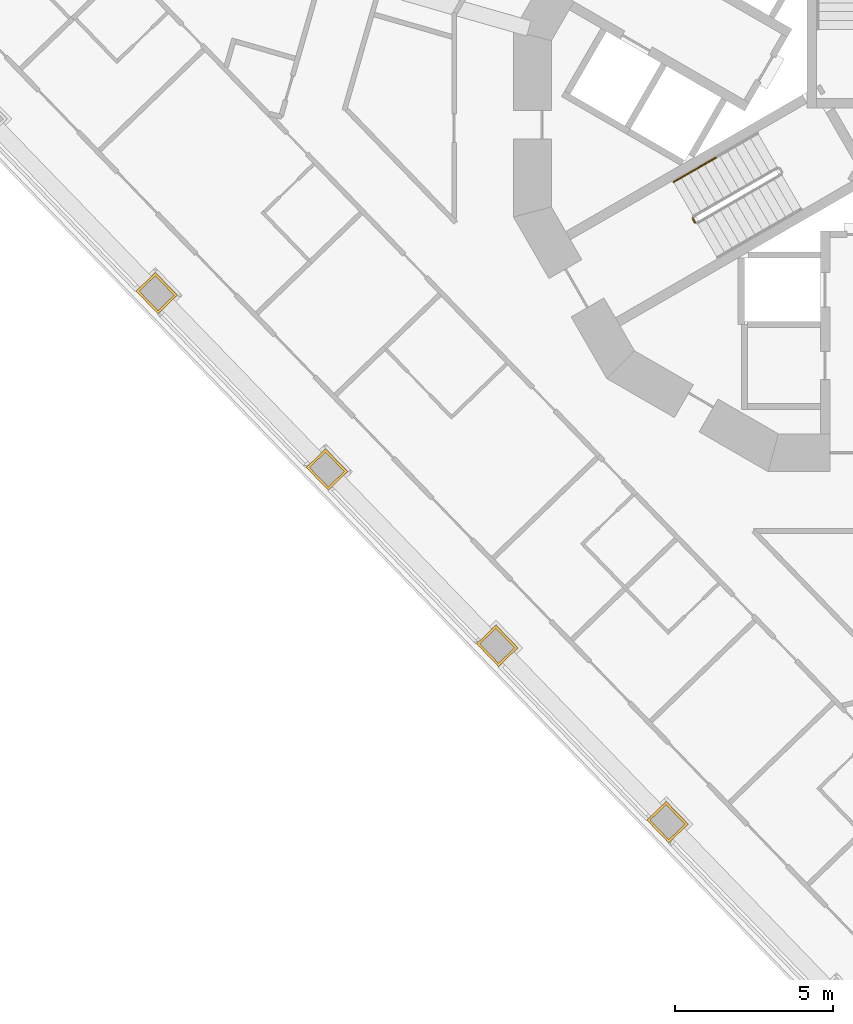
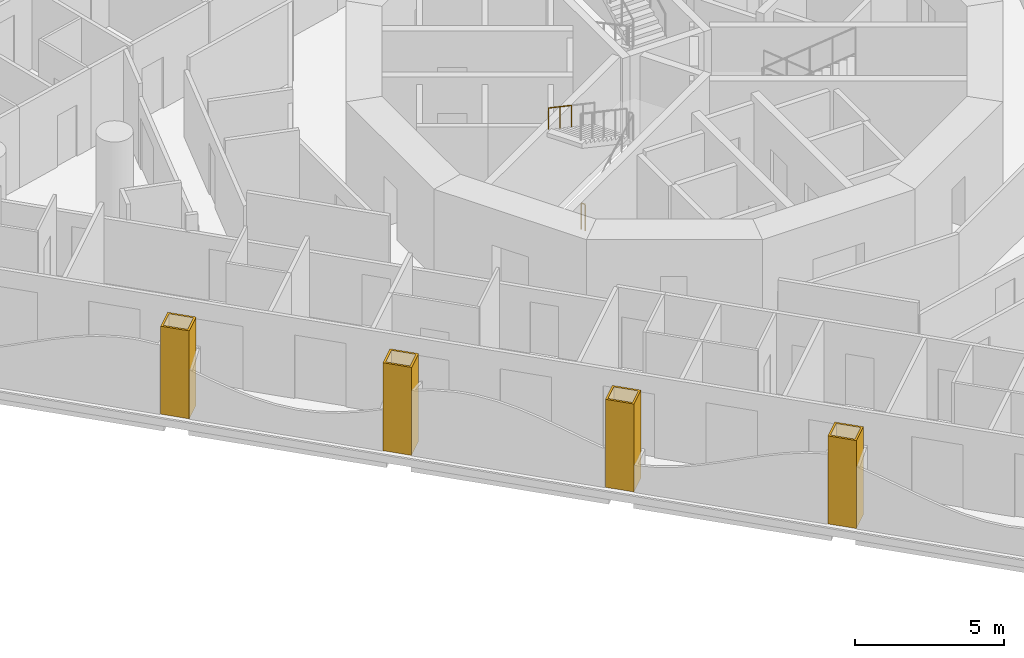
# One storey, part 12 of 19: 4 coverings, 2 railings.
"""IFC4 building model written with IfcOpenShell, lengths in metres."""

import ifcopenshell
import ifcopenshell.guid

model = None  # the IFC model being written
_history = None  # IfcOwnerHistory: only IFC2X3 demands one
_inside = {}  # id of a spatial element -> (the spatial element, [elements in it])
_under = {}  # id of a project, library or spatial element -> (it, [spatial elements below it])
_declared = {}  # id of a project -> (the project, [libraries it declares])
_typed = {}  # id of a type object -> (the type object, [elements of that type])
_made_of = {}  # id of a material, layer set ... -> (it, [elements and type objects made of it])


def new_model(schema):
    """Start an empty IFC model of exactly this schema.

    Asked for "IFC4X3", IfcOpenShell would pick the latest addendum, in which some entities
    have other attributes; the version numbers below select the first issue.
    IFC2X3 requires an IfcOwnerHistory on every rooted entity: one is made here for all.
    """
    global model, _history
    if schema == "IFC4X3":
        model = ifcopenshell.file(schema_version=(4, 3, 0, 0))
    else:
        model = ifcopenshell.file(schema=schema)
    _inside.clear()
    _under.clear()
    _declared.clear()
    _typed.clear()
    _made_of.clear()
    _history = None
    if model.schema == "IFC2X3":
        org = make("IfcOrganization", Name="unknown")
        user = make(
            "IfcPersonAndOrganization",
            ThePerson=make("IfcPerson", FamilyName="unknown"),
            TheOrganization=org,
        )
        app = make(
            "IfcApplication",
            ApplicationDeveloper=org,
            Version="unknown",
            ApplicationFullName="unknown",
            ApplicationIdentifier="unknown",
        )
        _history = make(
            "IfcOwnerHistory",
            OwningUser=user,
            OwningApplication=app,
            ChangeAction="ADDED",
            CreationDate=0,
        )
    return model


def make(cls, **values):
    """One entity of the class cls with the attributes given. An attribute that is None is left unset."""
    return model.create_entity(
        cls, **{name: value for name, value in values.items() if value is not None}
    )


def rooted(cls, **values):
    """An entity with a GlobalId (a new one), such as an element, a storey or a relation."""
    return make(cls, GlobalId=ifcopenshell.guid.new(), OwnerHistory=_history, **values)


def si_unit(unit_type, name, prefix=None):
    """IfcSIUnit, for example si_unit("LENGTHUNIT", "METRE", prefix="MILLI")."""
    return make("IfcSIUnit", UnitType=unit_type, Prefix=prefix, Name=name)


def assignment(units):
    """IfcUnitAssignment: the units of a project."""
    return None if units is None else make("IfcUnitAssignment", Units=units)


def point(xyz):
    """IfcCartesianPoint."""
    return None if xyz is None else make("IfcCartesianPoint", Coordinates=xyz)


def direction(xyz):
    """IfcDirection."""
    return None if xyz is None else make("IfcDirection", DirectionRatios=xyz)


def frame(location, z_axis=None, x_axis=None):
    """IfcAxis2Placement3D, a coordinate frame: its origin and axes. An axis left out is left unset."""
    return make(
        "IfcAxis2Placement3D",
        Location=point(location),
        Axis=direction(z_axis),
        RefDirection=direction(x_axis),
    )


def frame_2d(location, x_axis=None):
    """IfcAxis2Placement2D, a coordinate frame in the plane: its origin and x axis."""
    return make(
        "IfcAxis2Placement2D", Location=point(location), RefDirection=direction(x_axis)
    )


def origin():
    """The frame at (0, 0, 0) with its axes left unset."""
    return frame((0.0, 0.0, 0.0))


def origin_2d():
    """The frame at (0, 0) in the plane with its x axis left unset."""
    return frame_2d((0.0, 0.0))


def place(relative_to, where):
    """IfcLocalPlacement: puts the frame where relative to a parent placement (None: the world)."""
    return make(
        "IfcLocalPlacement", PlacementRelTo=relative_to, RelativePlacement=where
    )


def context(
    kind, dimensions, precision=None, world=None, true_north=None, identifier=None
):
    """IfcGeometricRepresentationContext, for example the 3D "Model" context."""
    return make(
        "IfcGeometricRepresentationContext",
        ContextIdentifier=identifier,
        ContextType=kind,
        CoordinateSpaceDimension=dimensions,
        Precision=precision,
        WorldCoordinateSystem=world,
        TrueNorth=true_north,
    )


def subcontext(parent, identifier, kind, view, scale=None):
    """IfcGeometricRepresentationSubContext, for example "Body" below "Model"."""
    return make(
        "IfcGeometricRepresentationSubContext",
        ContextIdentifier=identifier,
        ContextType=kind,
        ParentContext=parent,
        TargetScale=scale,
        TargetView=view,
    )


def project(units=None, contexts=None):
    """IfcProject with its units and contexts."""
    return rooted(
        "IfcProject",
        Name="project",
        RepresentationContexts=contexts,
        UnitsInContext=assignment(units),
    )


def spatial(cls, under=None, at=None, **own):
    """A site, building, storey or space (cls), placed at a placement, below another one or the project."""
    s = rooted(cls, ObjectPlacement=at, **own)
    if under is not None:
        _under.setdefault(under.id(), (under, []))[1].append(s)
    return s


def polyline(points):
    """IfcPolyline through the points."""
    return make("IfcPolyline", Points=[point(p) for p in points])


def profile(cls, at=None, kind="AREA", **sizes):
    """A parametric profile (cls). Its sizes go by their IFC names, for example OverallWidth=200.0."""
    return make(cls, ProfileType=kind, Position=at, **sizes)


def circle(**sizes):
    """IfcCircleProfileDef."""
    return profile("IfcCircleProfileDef", **sizes)


def outline(outer, holes=None, kind="AREA"):
    """IfcArbitraryClosedProfileDef: a profile drawn as a closed curve; with holes, ...WithVoids."""
    if holes is None:
        return make("IfcArbitraryClosedProfileDef", ProfileType=kind, OuterCurve=outer)
    return make(
        "IfcArbitraryProfileDefWithVoids",
        ProfileType=kind,
        OuterCurve=outer,
        InnerCurves=holes,
    )


def extrude(swept, where, along, depth):
    """IfcExtrudedAreaSolid: the profile swept, set in the frame where, extruded along a direction by depth."""
    return make(
        "IfcExtrudedAreaSolid",
        SweptArea=swept,
        Position=where,
        ExtrudedDirection=direction(along),
        Depth=depth,
    )


def shape(context_of_items, identifier, shape_type, items):
    """IfcShapeRepresentation: the items that make up one representation, for example the "Body"."""
    return make(
        "IfcShapeRepresentation",
        ContextOfItems=context_of_items,
        RepresentationIdentifier=identifier,
        RepresentationType=shape_type,
        Items=items,
    )


def material(Name=None, Category=None):
    """IfcMaterial."""
    return make("IfcMaterial", Name=Name, Category=Category)


def layer(
    of_material, thickness, ventilated=None, Name=None, Category=None, Priority=None
):
    """IfcMaterialLayer: one layer of a wall or slab, of a material (None: an air gap)."""
    return make(
        "IfcMaterialLayer",
        Material=of_material,
        LayerThickness=thickness,
        IsVentilated=ventilated,
        Name=Name,
        Category=Category,
        Priority=Priority,
    )


def layer_set(layers, Name=None):
    """IfcMaterialLayerSet."""
    return make("IfcMaterialLayerSet", MaterialLayers=layers, LayerSetName=Name)


def made_of(thing, what):
    """Note that an element or type object is made of a material, layer set ...; save() writes the relation."""
    if what is not None:
        _made_of.setdefault(what.id(), (what, []))[1].append(thing)
    return thing


def type_object(cls, material=None, **own):
    """A type object (cls), such as IfcWallType, which elements share."""
    return made_of(rooted(cls, **own), material)


def element(
    cls,
    number,
    at=None,
    inside=None,
    cuts=None,
    type_object=None,
    material=None,
    context=None,
    identifier="Body",
    shape_type=None,
    held_by="IfcProductDefinitionShape",
    body=None,
    shapes=None,
    **own,
):
    """One element of the class cls, such as IfcWall. Its Tag is "e" and its number.

    at: its placement. inside: the storey or other place that contains it. cuts: it is an
    opening in that element (IfcRelVoidsElement). A single representation is given by context,
    identifier, shape_type and body (its items); several are given by shapes. held_by: the class
    of the entity that holds the representations. save() writes the other relations.
    """
    e = rooted(cls, Tag="e%d" % number, ObjectPlacement=at, **own)
    if body is not None:
        shapes = [shape(context, identifier, shape_type, body)]
    if shapes is not None:
        e.Representation = make(held_by, Representations=shapes)
    if inside is not None:
        _inside.setdefault(inside.id(), (inside, []))[1].append(e)
    if cuts is not None:
        rooted(
            "IfcRelVoidsElement", RelatingBuildingElement=cuts, RelatedOpeningElement=e
        )
    if type_object is not None:
        _typed.setdefault(type_object.id(), (type_object, []))[1].append(e)
    return made_of(e, material)


def aggregate(whole, parts):
    """IfcRelAggregates: a whole, such as a stair, and the parts it consists of."""
    return rooted("IfcRelAggregates", RelatingObject=whole, RelatedObjects=parts)


def save(model, path):
    """Write the relations noted so far, then the file.

    IfcRelAggregates (storeys below a building ...), IfcRelContainedInSpatialStructure (elements
    in a storey), IfcRelDefinesByType, IfcRelAssociatesMaterial and IfcRelDeclares: one each for
    every whole, place, type object, material and project.
    """
    for whole, parts in _under.values():
        aggregate(whole, parts)
    for where, things in _inside.values():
        rooted(
            "IfcRelContainedInSpatialStructure",
            RelatedElements=things,
            RelatingStructure=where,
        )
    for kind, things in _typed.values():
        rooted("IfcRelDefinesByType", RelatedObjects=things, RelatingType=kind)
    for what, things in _made_of.values():
        rooted("IfcRelAssociatesMaterial", RelatedObjects=things, RelatingMaterial=what)
    for by, libraries in _declared.values():
        rooted("IfcRelDeclares", RelatingContext=by, RelatedDefinitions=libraries)
    model.write(path)


model = new_model("IFC4")

# Units and contexts
model_context = context("Model", 3, precision=1e-05, world=origin(), true_north=direction((0.0, 1.0)))
body_context = subcontext(model_context, "Body", "Model", "MODEL_VIEW")
ifc_project = project(units=[si_unit("LENGTHUNIT", "METRE"), si_unit("AREAUNIT", "SQUARE_METRE"), si_unit("VOLUMEUNIT", "CUBIC_METRE"), si_unit("PLANEANGLEUNIT", "RADIAN"), si_unit("MASSUNIT", "GRAM", prefix="KILO")], contexts=[model_context])

# Site, building, storey
site_placement = place(None, origin())
site = spatial("IfcSite", under=ifc_project, at=site_placement, CompositionType="ELEMENT")
building_placement = place(site_placement, origin())
building = spatial("IfcBuilding", under=site, at=building_placement, Name="Trine Commons Tower", CompositionType="ELEMENT")
storey_placement = place(building_placement, frame((0.0, 0.0, 105.300048828125)))
storey = spatial("IfcBuildingStorey", under=building, at=storey_placement, Name="L26", CompositionType="ELEMENT", Elevation=105.300048828125)

# Coverings
ifc_material_1 = material(Name="Limestone, honed", Category="masonry")
ifc_layer = layer(ifc_material_1, 0.074951171875)
ifc_layer_set = layer_set([ifc_layer], Name="Limestone, honed")
covering_type = type_object("IfcCoveringType", Name="Limestone column cladding 75", PredefinedType="CLADDING", material=ifc_layer_set)
covering_1_placement = place(storey_placement, origin())
element("IfcCovering", 1, at=covering_1_placement, inside=storey, type_object=covering_type, Name="Limestone pier cladding 3-03", PredefinedType="CLADDING", context=body_context, shape_type="SweptSolid", body=[
    extrude(outline(polyline([(73.8212890625, 41.0517578125), (73.209716796875, 40.461181640625), (73.904296875, 39.741943359375), (74.515869140625, 40.33251953125), (73.8212890625, 41.0517578125)]), holes=[polyline([(73.8193359375, 40.945556640625), (73.31591796875, 40.45947265625), (73.90625, 39.847900390625), (74.409912109375, 40.334228515625), (73.8193359375, 40.945556640625)])]), origin(), (0.0, 0.0, 1.0), 3.599853515625),
])
covering_2_placement = place(storey_placement, origin())
element("IfcCovering", 2, at=covering_2_placement, inside=storey, type_object=covering_type, Name="Limestone pier cladding 3-04", PredefinedType="CLADDING", context=body_context, shape_type="SweptSolid", body=[
    extrude(outline(polyline([(68.432373046875, 46.632080078125), (67.82080078125, 46.04150390625), (68.515380859375, 45.322265625), (69.126953125, 45.912841796875), (68.432373046875, 46.632080078125)]), holes=[polyline([(68.430419921875, 46.52587890625), (67.927001953125, 46.039794921875), (68.517333984375, 45.428466796875), (69.02099609375, 45.91455078125), (68.430419921875, 46.52587890625)])]), origin(), (0.0, 0.0, 1.0), 3.599853515625),
])
covering_3_placement = place(storey_placement, origin())
element("IfcCovering", 3, at=covering_3_placement, inside=storey, type_object=covering_type, Name="Limestone pier cladding 3-05", PredefinedType="CLADDING", context=body_context, shape_type="SweptSolid", body=[
    extrude(outline(polyline([(63.04345703125, 52.21240234375), (62.431884765625, 51.6220703125), (63.126708984375, 50.902587890625), (63.738037109375, 51.4931640625), (63.04345703125, 52.21240234375)]), holes=[polyline([(63.04150390625, 52.1064453125), (62.5380859375, 51.6201171875), (63.12841796875, 51.0087890625), (63.632080078125, 51.4951171875), (63.04150390625, 52.1064453125)])]), origin(), (0.0, 0.0, 1.0), 3.599853515625),
])
covering_4_placement = place(storey_placement, origin())
element("IfcCovering", 4, at=covering_4_placement, inside=storey, type_object=covering_type, Name="Limestone pier cladding 3-06", PredefinedType="CLADDING", context=body_context, shape_type="SweptSolid", body=[
    extrude(outline(polyline([(57.654296875, 57.792724609375), (57.04296875, 57.202392578125), (57.737548828125, 56.48291015625), (58.34912109375, 57.073486328125), (57.654296875, 57.792724609375)]), holes=[polyline([(57.652587890625, 57.686767578125), (57.14892578125, 57.200439453125), (57.739501953125, 56.589111328125), (58.242919921875, 57.0751953125), (57.652587890625, 57.686767578125)])]), origin(), (0.0, 0.0, 1.0), 3.599853515625),
])

# Railings
ifc_material_2 = material(Name="Stainless steel balustrade", Category="steel")
railing_type_1 = type_object("IfcRailingType", Name="Stair guard, steel balustrade 1100", PredefinedType="GUARDRAIL", material=ifc_material_2)
railing_1_placement = place(storey_placement, frame((74.73681640625, 59.374755859375, 0.0)))
element("IfcRailing", 5, at=railing_1_placement, inside=storey, type_object=railing_type_1, Name="L26 ST2A stair guard 4", PredefinedType="GUARDRAIL", context=body_context, shape_type="SweptSolid", body=[
    extrude(circle(Radius=0.02392578125, at=origin_2d()), frame((0.0, 0.0, 1.076171875), z_axis=(-0.499816412211, 0.866131372301, 0.0), x_axis=(-0.866131372301, -0.499816412211, 0.0)), (0.0, 0.0, 1.0), 0.14990234375),
    extrude(circle(Radius=0.02099609375, at=origin_2d()), origin(), (0.0, 0.0, 1.0), 1.052001953125),
    extrude(circle(Radius=0.02099609375, at=origin_2d()), frame((-0.074951171875, 0.1298828125, 0.0)), (0.0, 0.0, 1.0), 1.052001953125),
])
ifc_material_3 = material(Name="Stainless steel handrail", Category="steel")
railing_type_2 = type_object("IfcRailingType", Name="Stair handrail, steel 900", PredefinedType="HANDRAIL", material=ifc_material_3)
railing_2_placement = place(storey_placement, frame((75.388916015625, 61.425537109375, 2.77490234375)))
element("IfcRailing", 6, at=railing_2_placement, inside=storey, type_object=railing_type_2, Name="L26 ST2A stair handrail 4", PredefinedType="HANDRAIL", context=body_context, shape_type="SweptSolid", body=[
    extrude(circle(Radius=0.02099609375, at=origin_2d()), frame((0.0, 0.0, 0.87890625), z_axis=(-0.76340495495, -0.440743040072, 0.472184759798), x_axis=(0.499992328818, -0.866029832698, 0.0)), (0.0, 0.0, 1.0), 1.7470703125),
    extrude(circle(Radius=0.01513671875, at=origin_2d()), origin(), (0.0, 0.0, 1.0), 0.85791015625),
    extrude(circle(Radius=0.01513671875, at=origin_2d()), frame((-0.6669921875, -0.385009765625, 0.41259765625)), (0.0, 0.0, 1.0), 0.85791015625),
    extrude(circle(Radius=0.01513671875, at=origin_2d()), frame((-1.333740234375, -0.77001953125, 0.824951171875)), (0.0, 0.0, 1.0), 0.85791015625),
])

save(model, "model.ifc")
